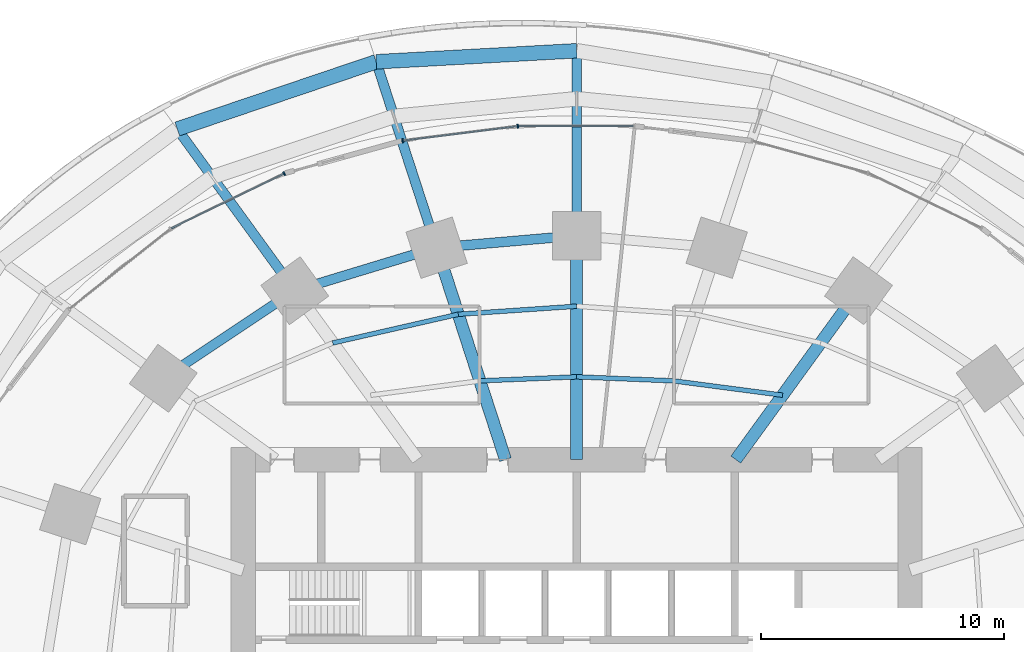
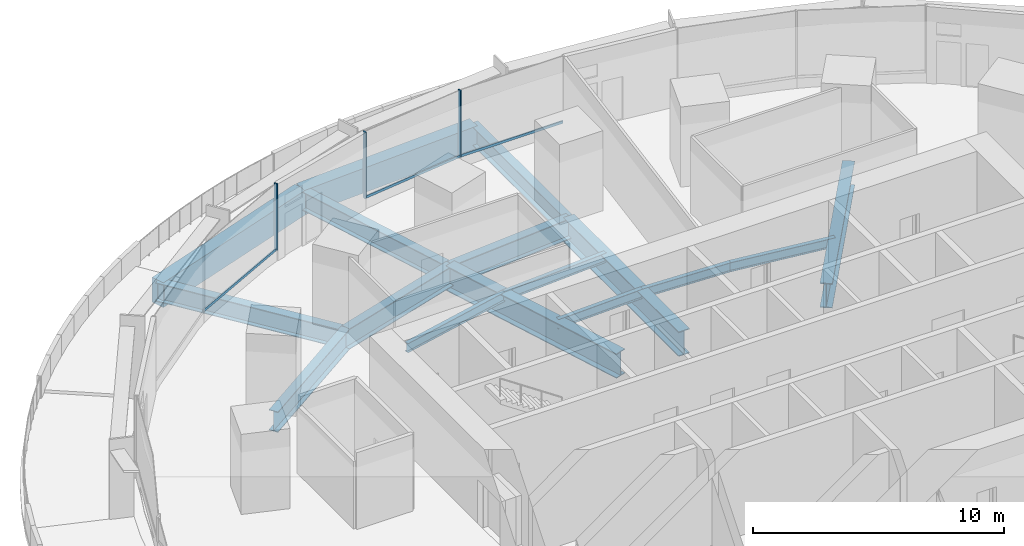
# One storey, part 7 of 20: 16 beams, 6 members, 2 elements without a shape of their own.
"""IFC4 building model written with IfcOpenShell, lengths in metres."""

from ifc_helpers import new_model, si_unit, direction, frame, origin, origin_2d, place, context, subcontext, project, spatial, rectangle, i_section, extrude, material, material_profile, profile_set, type_object, element, aggregate, save


model = new_model("IFC4")

# Units and contexts
model_context = context("Model", 3, precision=1e-05, world=origin(), true_north=direction((0.0, 1.0)))
body_context = subcontext(model_context, "Body", "Model", "MODEL_VIEW")
ifc_project = project(units=[si_unit("LENGTHUNIT", "METRE"), si_unit("AREAUNIT", "SQUARE_METRE"), si_unit("VOLUMEUNIT", "CUBIC_METRE"), si_unit("PLANEANGLEUNIT", "RADIAN"), si_unit("MASSUNIT", "GRAM", prefix="KILO")], contexts=[model_context])

# Site, building, storey
site_placement = place(None, origin())
site = spatial("IfcSite", under=ifc_project, at=site_placement, CompositionType="ELEMENT")
building_placement = place(site_placement, origin())
building = spatial("IfcBuilding", under=site, at=building_placement, Name="Marramba Exchange Tower", CompositionType="ELEMENT")
storey_placement = place(building_placement, frame((0.0, 0.0, 19.60009765625)))
storey = spatial("IfcBuildingStorey", under=building, at=storey_placement, Name="L04", CompositionType="ELEMENT", Elevation=19.60009765625)

# Beams
ifc_material_1 = material(Name="Concrete N50", Category="concrete")
ifc_material_profile_1 = material_profile(ifc_material_1, rectangle(XDim=0.60009765625, YDim=1.199951171875, at=origin_2d()), Name="RC 600x1200")
ifc_profile_set_1 = profile_set([ifc_material_profile_1], Name="Concrete N50")
beam_type_1 = type_object("IfcBeamType", Name="Edge beam RC 600x1200 N50", PredefinedType="SPANDREL", material=ifc_profile_set_1)
beam_1_placement = place(storey_placement, frame((0.0, 25.800048828125, -0.85009765625), z_axis=(-0.998493145598, -0.054876572358, 0.0), x_axis=(0.054876572358, -0.998493145598, 0.0)))
element("IfcBeam", 1, at=beam_1_placement, inside=storey, type_object=beam_type_1, Name="Edge beam L04 P3C06", PredefinedType="SPANDREL", context=body_context, shape_type="SweptSolid", body=[
    extrude(rectangle(XDim=0.60009765625, YDim=1.199951171875, at=origin_2d()), origin(), (0.0, 0.0, 1.0), 8.248291015625),
])
beam_2_placement = place(storey_placement, frame((-8.23583984375, 25.347412109375, -0.85009765625), z_axis=(-0.947330534482, -0.320257487715, 0.0), x_axis=(0.320257487715, -0.947330534482, 0.0)))
element("IfcBeam", 2, at=beam_2_placement, inside=storey, type_object=beam_type_1, Name="Edge beam L04 P3C07", PredefinedType="SPANDREL", context=body_context, shape_type="SweptSolid", body=[
    extrude(rectangle(XDim=0.60009765625, YDim=1.199951171875, at=origin_2d()), origin(), (0.0, 0.0, 1.0), 8.627197265625),
])
ifc_material_2 = material(Name="Steel AS/NZS 3679.1 grade 300", Category="steel")
ifc_material_profile_2 = material_profile(ifc_material_2, i_section(OverallWidth=0.18994140625, OverallDepth=0.4541015625, WebThickness=0.008544921875, FlangeThickness=0.0126953125, FilletRadius=0.011474609375, at=origin_2d()), Name="460UB67.1")
ifc_profile_set_2 = profile_set([ifc_material_profile_2], Name="Steel AS/NZS 3679.1 grade 300")
beam_type_2 = type_object("IfcBeamType", Name="Floor joist 460UB67.1", PredefinedType="JOIST", material=ifc_profile_set_2)
beam_3_placement = place(storey_placement, frame((8.4619140625, 11.646728515625, -0.427001953125), z_axis=(-0.991480538255, 0.130254912618, 0.0), x_axis=(-0.130254912618, -0.991480538255, 0.0)))
element("IfcBeam", 3, at=beam_3_placement, inside=storey, type_object=beam_type_2, Name="Joist L04 bay 04 row 1", PredefinedType="JOIST", context=body_context, shape_type="SweptSolid", body=[
    extrude(i_section(OverallWidth=0.18994140625, OverallDepth=0.4541015625, WebThickness=0.008544921875, FlangeThickness=0.0126953125, FilletRadius=0.011474609375, at=origin_2d()), origin(), (0.0, 0.0, 1.0), 4.524658203125),
])
for number, where, z_axis, x_axis, name in (
    (4, (3.975830078125, 12.236083984375, -0.427001953125), (-0.999137002892, 0.041536122257, 0.0), (-0.041536122257, -0.999137002892, 0.0), "Joist L04 bay 05 row 1"),
    (5, (0.0, 12.4013671875, -0.427001953125), (-0.999137002892, -0.041536122257, 0.0), (0.041536122257, -0.999137002892, 0.0), "Joist L04 bay 06 row 1"),
):
    element("IfcBeam", number, at=place(storey_placement, frame(where, z_axis=z_axis, x_axis=x_axis)), inside=storey, type_object=beam_type_2, Name=name, PredefinedType="JOIST", context=body_context, shape_type="SweptSolid", body=[
        extrude(i_section(OverallWidth=0.18994140625, OverallDepth=0.4541015625, WebThickness=0.008544921875, FlangeThickness=0.0126953125, FilletRadius=0.011474609375, at=origin_2d()), origin(), (0.0, 0.0, 1.0), 3.979248046875),
    ])
beam_4_placement = place(storey_placement, frame((0.0, 15.302734375, -0.427001953125), z_axis=(-0.997702652202, -0.067745241816, 0.0), x_axis=(0.067745241816, -0.997702652202, 0.0)))
element("IfcBeam", 6, at=beam_4_placement, inside=storey, type_object=beam_type_2, Name="Joist L04 bay 06 row 2", PredefinedType="JOIST", context=body_context, shape_type="SweptSolid", body=[
    extrude(i_section(OverallWidth=0.18994140625, OverallDepth=0.4541015625, WebThickness=0.008544921875, FlangeThickness=0.0126953125, FilletRadius=0.011474609375, at=origin_2d()), origin(), (0.0, 0.0, 1.0), 4.8759765625),
])
beam_5_placement = place(storey_placement, frame((-4.86474609375, 14.972412109375, -0.427001953125), z_axis=(-0.974859652292, -0.222819788916, 0.0), x_axis=(0.222819788916, -0.974859652292, 0.0)))
element("IfcBeam", 7, at=beam_5_placement, inside=storey, type_object=beam_type_2, Name="Joist L04 bay 07 row 2", PredefinedType="JOIST", context=body_context, shape_type="SweptSolid", body=[
    extrude(i_section(OverallWidth=0.18994140625, OverallDepth=0.4541015625, WebThickness=0.008544921875, FlangeThickness=0.0126953125, FilletRadius=0.011474609375, at=origin_2d()), origin(), (0.0, 0.0, 1.0), 5.2900390625),
])
ifc_material_3 = material(Name="Steel AS/NZS 3679.2 grade 300", Category="steel")
ifc_material_profile_3 = material_profile(ifc_material_3, i_section(OverallWidth=0.5, OverallDepth=1.199951171875, WebThickness=0.01611328125, FlangeThickness=0.0400390625, at=origin_2d()), Name="1200WB455")
ifc_profile_set_3 = profile_set([ifc_material_profile_3], Name="Steel AS/NZS 3679.2 grade 300")
beam_type_3 = type_object("IfcBeamType", Name="Radial girder 1200WB455", PredefinedType="BEAM", material=ifc_profile_set_3)
beam_6_placement = place(storey_placement, frame((6.538818359375, 9.0, -0.800048828125), z_axis=(0.587782439969, 0.80901903764, 0.0), x_axis=(-0.80901903764, 0.587782439969, 0.0)))
element("IfcBeam", 8, at=beam_6_placement, inside=storey, type_object=beam_type_3, Name="Radial girder L04 TC04", PredefinedType="BEAM", context=body_context, shape_type="SweptSolid", body=[
    extrude(i_section(OverallWidth=0.5, OverallDepth=1.199951171875, WebThickness=0.01611328125, FlangeThickness=0.0400390625, at=origin_2d()), origin(), (0.0, 0.0, 1.0), 8.578857421875),
])
beam_7_placement = place(storey_placement, frame((0.0, 9.0, -0.800048828125), z_axis=(0.0, 1.0, 0.0), x_axis=(-1.0, 0.0, 0.0)))
element("IfcBeam", 9, at=beam_7_placement, inside=storey, type_object=beam_type_3, Name="Radial girder L04 TC06", PredefinedType="BEAM", context=body_context, shape_type="SweptSolid", body=[
    extrude(i_section(OverallWidth=0.5, OverallDepth=1.199951171875, WebThickness=0.01611328125, FlangeThickness=0.0400390625, at=origin_2d()), origin(), (0.0, 0.0, 1.0), 9.2041015625),
])
beam_8_placement = place(storey_placement, frame((-2.92431640625, 9.0, -0.800048828125), z_axis=(-0.309019754162, 0.951055619582, 0.0), x_axis=(-0.951055619582, -0.309019754162, 0.0)))
element("IfcBeam", 10, at=beam_8_placement, inside=storey, type_object=beam_type_3, Name="Radial girder L04 TC07", PredefinedType="BEAM", context=body_context, shape_type="SweptSolid", body=[
    extrude(i_section(OverallWidth=0.5, OverallDepth=1.199951171875, WebThickness=0.01611328125, FlangeThickness=0.0400390625, at=origin_2d()), origin(), (0.0, 0.0, 1.0), 9.15673828125),
])
ifc_material_profile_4 = material_profile(ifc_material_3, i_section(OverallWidth=0.39990234375, OverallDepth=0.89990234375, WebThickness=0.01611328125, FlangeThickness=0.031982421875, at=origin_2d()), Name="900WB282")
ifc_profile_set_4 = profile_set([ifc_material_profile_4], Name="Steel AS/NZS 3679.2 grade 300")
beam_type_4 = type_object("IfcBeamType", Name="Radial girder 900WB282", PredefinedType="BEAM", material=ifc_profile_set_4)
beam_9_placement = place(storey_placement, frame((0.0, 25.800048828125, -0.7001953125), z_axis=(0.0, -1.0, 0.0), x_axis=(1.0, 0.0, 0.0)))
element("IfcBeam", 11, at=beam_9_placement, inside=storey, type_object=beam_type_4, Name="Radial girder L04 P3C06", PredefinedType="BEAM", context=body_context, shape_type="SweptSolid", body=[
    extrude(i_section(OverallWidth=0.39990234375, OverallDepth=0.89990234375, WebThickness=0.01611328125, FlangeThickness=0.031982421875, at=origin_2d()), origin(), (0.0, 0.0, 1.0), 7.595947265625),
])
beam_10_placement = place(storey_placement, frame((-8.23583984375, 25.347412109375, -0.7001953125), z_axis=(0.309005656737, -0.951060200042, 0.0), x_axis=(0.951060200042, 0.309005656737, 0.0)))
element("IfcBeam", 12, at=beam_10_placement, inside=storey, type_object=beam_type_4, Name="Radial girder L04 P3C07", PredefinedType="BEAM", context=body_context, shape_type="SweptSolid", body=[
    extrude(i_section(OverallWidth=0.39990234375, OverallDepth=0.89990234375, WebThickness=0.01611328125, FlangeThickness=0.031982421875, at=origin_2d()), origin(), (0.0, 0.0, 1.0), 8.031982421875),
])
beam_11_placement = place(storey_placement, frame((-16.40869140625, 22.58447265625, -0.7001953125), z_axis=(0.587802211643, -0.809004672414, 0.0), x_axis=(0.809004672414, 0.587802211643, 0.0)))
element("IfcBeam", 13, at=beam_11_placement, inside=storey, type_object=beam_type_4, Name="Radial girder L04 P3C08", PredefinedType="BEAM", context=body_context, shape_type="SweptSolid", body=[
    extrude(i_section(OverallWidth=0.39990234375, OverallDepth=0.89990234375, WebThickness=0.01611328125, FlangeThickness=0.031982421875, at=origin_2d()), origin(), (0.0, 0.0, 1.0), 8.212646484375),
])
ifc_material_profile_5 = material_profile(ifc_material_3, i_section(OverallWidth=0.39990234375, OverallDepth=1.0, WebThickness=0.01611328125, FlangeThickness=0.031982421875, at=origin_2d()), Name="1000WB322")
ifc_profile_set_5 = profile_set([ifc_material_profile_5], Name="Steel AS/NZS 3679.2 grade 300")
beam_type_5 = type_object("IfcBeamType", Name="Ring beam 1000WB322", PredefinedType="SPANDREL", material=ifc_profile_set_5)
beam_12_placement = place(storey_placement, frame((0.0, 18.2041015625, -0.7001953125), z_axis=(-0.996311003275, -0.085815993578, 0.0), x_axis=(0.085815993578, -0.996311003275, 0.0)))
element("IfcBeam", 14, at=beam_12_placement, inside=storey, type_object=beam_type_5, Name="Ring beam L04 TC06-TC07", PredefinedType="SPANDREL", context=body_context, shape_type="SweptSolid", body=[
    extrude(i_section(OverallWidth=0.39990234375, OverallDepth=1.0, WebThickness=0.01611328125, FlangeThickness=0.031982421875, at=origin_2d()), origin(), (0.0, 0.0, 1.0), 5.775146484375),
])
beam_13_placement = place(storey_placement, frame((-5.75390625, 17.70849609375, -0.7001953125), z_axis=(-0.956924542524, -0.290336735387, 0.0), x_axis=(0.290336735387, -0.956924542524, 0.0)))
element("IfcBeam", 15, at=beam_13_placement, inside=storey, type_object=beam_type_5, Name="Ring beam L04 TC07-TC08", PredefinedType="SPANDREL", context=body_context, shape_type="SweptSolid", body=[
    extrude(i_section(OverallWidth=0.39990234375, OverallDepth=1.0, WebThickness=0.01611328125, FlangeThickness=0.031982421875, at=origin_2d()), origin(), (0.0, 0.0, 1.0), 6.089599609375),
])
beam_14_placement = place(storey_placement, frame((-11.581298828125, 15.9404296875, -0.7001953125), z_axis=(-0.832293151443, -0.554335737673, 0.0), x_axis=(0.554335737673, -0.832293151443, 0.0)))
element("IfcBeam", 16, at=beam_14_placement, inside=storey, type_object=beam_type_5, Name="Ring beam L04 TC08-TC09", PredefinedType="SPANDREL", context=body_context, shape_type="SweptSolid", body=[
    extrude(i_section(OverallWidth=0.39990234375, OverallDepth=1.0, WebThickness=0.01611328125, FlangeThickness=0.031982421875, at=origin_2d()), origin(), (0.0, 0.0, 1.0), 6.49365234375),
])

# Curtain wall, members
ifc_material_4 = material(Name="Aluminium framing, bronze anodised", Category="aluminium")
curtain_wall_type = type_object("IfcCurtainWallType", Name="Trading floor ribbon curtain wall", PredefinedType="USERDEFINED", material=ifc_material_4)
curtain_wall_1_placement = place(storey_placement, origin())
curtain_wall_1 = element("IfcCurtainWall", 17, at=curtain_wall_1_placement, inside=storey, type_object=curtain_wall_type, Name="Curtain wall CW3 L04 F08-F09", ObjectType="RIBBON CURTAIN WALL", PredefinedType="USERDEFINED")
ifc_material_5 = material(Name="Aluminium mullion, bronze anodised", Category="aluminium")
ifc_material_profile_6 = material_profile(ifc_material_5, rectangle(XDim=0.159912109375, YDim=0.06005859375, at=origin_2d()), Name="CW3 mullion 60x160")
ifc_profile_set_6 = profile_set([ifc_material_profile_6], Name="Aluminium mullion, bronze anodised")
member_type_1 = type_object("IfcMemberType", Name="Trading floor ribbon curtain wall mullion", PredefinedType="MULLION", material=ifc_profile_set_6)
member_1_placement = place(storey_placement, frame((-2.416259765625, 22.7021484375, 0.7998046875), z_axis=(0.0, 0.0, 1.0), x_axis=(0.124872723099, -0.992172768738, 0.0)))
member_1 = element("IfcMember", 18, at=member_1_placement, type_object=member_type_1, Name="CW3 mullion 1", PredefinedType="MULLION", context=body_context, shape_type="SweptSolid", body=[
    extrude(rectangle(XDim=0.159912109375, YDim=0.06005859375, at=origin_2d()), origin(), (0.0, 0.0, 1.0), 3.239990234375),
])
member_2_placement = place(storey_placement, frame((-7.15185546875, 22.106201171875, 0.7998046875), z_axis=(0.0, 0.0, 1.0), x_axis=(0.124872723099, -0.992172768738, 0.0)))
member_2 = element("IfcMember", 19, at=member_2_placement, type_object=member_type_1, Name="CW3 mullion 2", PredefinedType="MULLION", context=body_context, shape_type="SweptSolid", body=[
    extrude(rectangle(XDim=0.159912109375, YDim=0.06005859375, at=origin_2d()), origin(), (0.0, 0.0, 1.0), 3.239990234375),
])

# Curtain wall, member
curtain_wall_2_placement = place(storey_placement, origin())
curtain_wall_2 = element("IfcCurtainWall", 20, at=curtain_wall_2_placement, inside=storey, type_object=curtain_wall_type, Name="Curtain wall CW3 L04 F11-F12", ObjectType="RIBBON CURTAIN WALL", PredefinedType="USERDEFINED")
member_3_placement = place(storey_placement, frame((-12.016357421875, 20.7529296875, 0.7998046875), z_axis=(0.0, 0.0, 1.0), x_axis=(0.43596538664, -0.899963433508, 0.0)))
member_3 = element("IfcMember", 21, at=member_3_placement, type_object=member_type_1, Name="CW3 mullion 1", PredefinedType="MULLION", context=body_context, shape_type="SweptSolid", body=[
    extrude(rectangle(XDim=0.159912109375, YDim=0.06005859375, at=origin_2d()), origin(), (0.0, 0.0, 1.0), 3.239990234375),
])

# Member
ifc_material_6 = material(Name="Aluminium transom, bronze anodised", Category="aluminium")
ifc_material_profile_7 = material_profile(ifc_material_6, rectangle(XDim=0.06005859375, YDim=0.1201171875, at=origin_2d()), Name="CW3 transom 60x120")
ifc_profile_set_7 = profile_set([ifc_material_profile_7], Name="Aluminium transom, bronze anodised")
member_type_2 = type_object("IfcMemberType", Name="Trading floor ribbon curtain wall transom", PredefinedType="USERDEFINED", material=ifc_profile_set_7)
member_4_placement = place(storey_placement, frame((2.326416015625, 22.7060546875, 0.829833984375), z_axis=(-1.0, 0.0, 0.0), x_axis=(0.0, -1.0, 0.0)))
member_4 = element("IfcMember", 22, at=member_4_placement, type_object=member_type_2, Name="CW3 sill transom", ObjectType="TRANSOM", PredefinedType="USERDEFINED", context=body_context, shape_type="SweptSolid", body=[
    extrude(rectangle(XDim=0.06005859375, YDim=0.1201171875, at=origin_2d()), origin(), (0.0, 0.0, 1.0), 4.712890625),
])

member_5_placement = place(storey_placement, frame((-2.446044921875, 22.698486328125, 0.829833984375), z_axis=(-0.992169913973, -0.124895403466, 0.0), x_axis=(0.124895403466, -0.992169913973, 0.0)))
member_5 = element("IfcMember", 23, at=member_5_placement, type_object=member_type_2, Name="CW3 sill transom", ObjectType="TRANSOM", PredefinedType="USERDEFINED", context=body_context, shape_type="SweptSolid", body=[
    extrude(rectangle(XDim=0.06005859375, YDim=0.1201171875, at=origin_2d()), origin(), (0.0, 0.0, 1.0), 4.712890625),
])

aggregate(curtain_wall_1, [member_4, member_1, member_2, member_5])

member_6_placement = place(storey_placement, frame((-12.043212890625, 20.739990234375, 0.829833984375), z_axis=(-0.89995331781, -0.43598626786, 0.0), x_axis=(0.43598626786, -0.89995331781, 0.0)))
member_6 = element("IfcMember", 24, at=member_6_placement, type_object=member_type_2, Name="CW3 sill transom", ObjectType="TRANSOM", PredefinedType="USERDEFINED", context=body_context, shape_type="SweptSolid", body=[
    extrude(rectangle(XDim=0.06005859375, YDim=0.1201171875, at=origin_2d()), origin(), (0.0, 0.0, 1.0), 5.13037109375),
])

aggregate(curtain_wall_2, [member_3, member_6])

save(model, "model.ifc")
